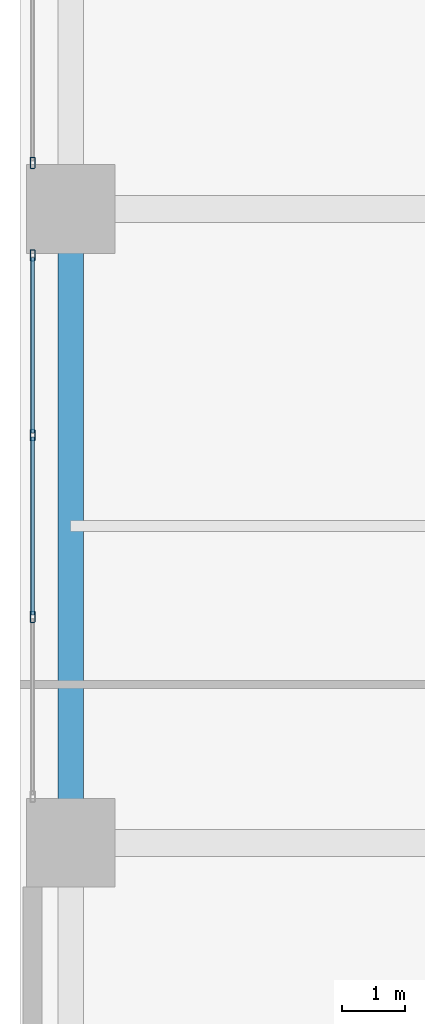
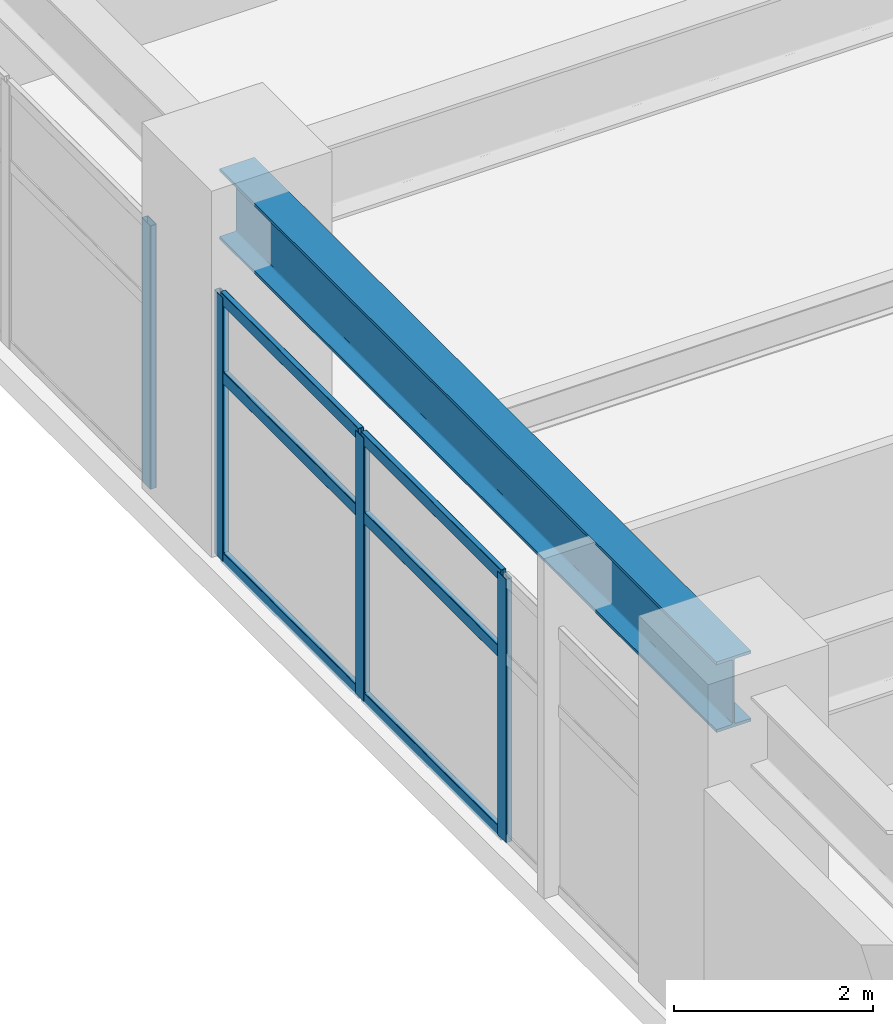
# One storey, part 7 of 28: 10 members, 1 beam, 2 elements without a shape of their own.
"""IFC4 building model written with IfcOpenShell, lengths in metres."""

from ifc_helpers import new_model, si_unit, direction, frame, origin, origin_2d, place, context, subcontext, project, spatial, hollow_rectangle, i_section, extrude, material, layer, layer_set, material_profile, profile_set, type_object, element, aggregate, save


model = new_model("IFC4")

# Units and contexts
model_context = context("Model", 3, precision=1e-05, world=origin(), true_north=direction((0.0, 1.0)))
body_context = subcontext(model_context, "Body", "Model", "MODEL_VIEW")
ifc_project = project(units=[si_unit("LENGTHUNIT", "METRE"), si_unit("AREAUNIT", "SQUARE_METRE"), si_unit("VOLUMEUNIT", "CUBIC_METRE"), si_unit("PLANEANGLEUNIT", "RADIAN"), si_unit("MASSUNIT", "GRAM", prefix="KILO")], contexts=[model_context])

# Site, building, storey
site_placement = place(None, origin())
site = spatial("IfcSite", under=ifc_project, at=site_placement, CompositionType="ELEMENT")
building_placement = place(site_placement, origin())
building = spatial("IfcBuilding", under=site, at=building_placement, Name="Soratama Intermodal Tower", CompositionType="ELEMENT")
storey_placement = place(building_placement, frame((0.0, 0.0, 16.199951171875)))
storey = spatial("IfcBuildingStorey", under=building, at=storey_placement, Name="L03", CompositionType="ELEMENT", Elevation=16.199951171875)

# Beam
ifc_material_1 = material(Name="Structural steel ASTM A992 Grade 50", Category="steel")
ifc_material_profile_1 = material_profile(ifc_material_1, i_section(OverallWidth=0.403076171875, OverallDepth=0.867919921875, WebThickness=0.02099609375, FlangeThickness=0.03564453125, FilletRadius=0.01806640625, at=origin_2d()), Name="W33X241")
ifc_profile_set_1 = profile_set([ifc_material_profile_1], Name="Structural steel ASTM A992 Grade 50")
beam_type = type_object("IfcBeamType", Name="BM-POD-EXT-W33", PredefinedType="BEAM", material=ifc_profile_set_1)
beam_placement = place(storey_placement, frame((0.800048828125, 15.0, 3.74609375), z_axis=(0.0, 1.0, 0.0), x_axis=(-1.0, 0.0, 0.0)))
element("IfcBeam", 1, at=beam_placement, inside=storey, type_object=beam_type, Name="L03 Station Girder Y1-2", PredefinedType="BEAM", context=body_context, shape_type="SweptSolid", body=[
    extrude(i_section(OverallWidth=0.403076171875, OverallDepth=0.867919921875, WebThickness=0.02099609375, FlangeThickness=0.03564453125, FilletRadius=0.01806640625, at=origin_2d()), origin(), (0.0, 0.0, 1.0), 10.0),
])

# Curtain wall, members
ifc_material_2 = material(Name="Double-glazed aluminium curtain wall", Category="aluminium")
ifc_layer = layer(ifc_material_2, 0.159912109375)
ifc_layer_set = layer_set([ifc_layer], Name="Double-glazed aluminium curtain wall")
curtain_wall_type = type_object("IfcCurtainWallType", Name="CW-SYS-1", PredefinedType="NOTDEFINED", material=ifc_layer_set)
curtain_wall_1_placement = place(storey_placement, origin())
curtain_wall_1 = element("IfcCurtainWall", 2, at=curtain_wall_1_placement, inside=storey, type_object=curtain_wall_type, Name="L03 Station Curtain Wall W1", PredefinedType="NOTDEFINED")
ifc_material_3 = material(Name="Anodised aluminium AA 6063-T6", Category="aluminium")
ifc_material_profile_2 = material_profile(ifc_material_3, hollow_rectangle(XDim=0.074951171875, YDim=0.179931640625, WallThickness=0.006103515625, InnerFilletRadius=0.006103515625, OuterFilletRadius=0.011962890625, at=origin_2d()), Name="CWM180X75X6")
ifc_profile_set_2 = profile_set([ifc_material_profile_2], Name="Anodised aluminium AA 6063-T6")
member_type_1 = type_object("IfcMemberType", Name="MT-CWM-1", PredefinedType="MULLION", material=ifc_profile_set_2)
member_1_placement = place(storey_placement, frame((0.199951171875, 18.566650390625, 0.0), z_axis=(0.0, 0.0, 1.0), x_axis=(-1.0, 0.0, 0.0)))
member_1 = element("IfcMember", 3, at=member_1_placement, type_object=member_type_1, Name="CW-1 mullion 2", PredefinedType="MULLION", context=body_context, shape_type="SweptSolid", body=[
    extrude(hollow_rectangle(XDim=0.074951171875, YDim=0.179931640625, WallThickness=0.006103515625, InnerFilletRadius=0.006103515625, OuterFilletRadius=0.011962890625, at=origin_2d()), origin(), (0.0, 0.0, 1.0), 3.236083984375),
])
member_2_placement = place(storey_placement, frame((0.199951171875, 21.433349609375, 0.0), z_axis=(0.0, 0.0, 1.0), x_axis=(-1.0, 0.0, 0.0)))
member_2 = element("IfcMember", 4, at=member_2_placement, type_object=member_type_1, Name="CW-1 mullion 3", PredefinedType="MULLION", context=body_context, shape_type="SweptSolid", body=[
    extrude(hollow_rectangle(XDim=0.074951171875, YDim=0.179931640625, WallThickness=0.006103515625, InnerFilletRadius=0.006103515625, OuterFilletRadius=0.011962890625, at=origin_2d()), origin(), (0.0, 0.0, 1.0), 3.236083984375),
])
member_3_placement = place(storey_placement, frame((0.199951171875, 24.27001953125, 0.0), z_axis=(0.0, 0.0, 1.0), x_axis=(-1.0, 0.0, 0.0)))
member_3 = element("IfcMember", 5, at=member_3_placement, type_object=member_type_1, Name="CW-1 mullion 4", PredefinedType="MULLION", context=body_context, shape_type="SweptSolid", body=[
    extrude(hollow_rectangle(XDim=0.074951171875, YDim=0.179931640625, WallThickness=0.006103515625, InnerFilletRadius=0.006103515625, OuterFilletRadius=0.011962890625, at=origin_2d()), origin(), (0.0, 0.0, 1.0), 3.236083984375),
])

# Curtain wall, member
curtain_wall_2_placement = place(storey_placement, origin())
curtain_wall_2 = element("IfcCurtainWall", 6, at=curtain_wall_2_placement, inside=storey, type_object=curtain_wall_type, Name="L03 Station Curtain Wall W2", PredefinedType="NOTDEFINED")
member_4_placement = place(storey_placement, frame((0.199951171875, 25.72998046875, 0.0), z_axis=(0.0, 0.0, 1.0), x_axis=(-1.0, 0.0, 0.0)))
member_4 = element("IfcMember", 7, at=member_4_placement, type_object=member_type_1, Name="CW-1 mullion 1", PredefinedType="MULLION", context=body_context, shape_type="SweptSolid", body=[
    extrude(hollow_rectangle(XDim=0.074951171875, YDim=0.179931640625, WallThickness=0.006103515625, InnerFilletRadius=0.006103515625, OuterFilletRadius=0.011962890625, at=origin_2d()), origin(), (0.0, 0.0, 1.0), 3.236083984375),
])
aggregate(curtain_wall_2, [member_4])

# Member
ifc_material_4 = material(Name="Anodised aluminium AA 6063-T6", Category="aluminium")
ifc_material_profile_3 = material_profile(ifc_material_4, hollow_rectangle(XDim=0.06494140625, YDim=0.14990234375, WallThickness=0.0048828125, InnerFilletRadius=0.0048828125, OuterFilletRadius=0.010009765625, at=origin_2d()), Name="CWT150X65X5")
ifc_profile_set_3 = profile_set([ifc_material_profile_3], Name="Anodised aluminium AA 6063-T6")
member_type_2 = type_object("IfcMemberType", Name="TT-CWT-1", PredefinedType="USERDEFINED", material=ifc_profile_set_3)
member_5_placement = place(storey_placement, frame((0.199951171875, 18.5966796875, 0.030029296875), z_axis=(0.0, 1.0, 0.0), x_axis=(-1.0, 0.0, 0.0)))
member_5 = element("IfcMember", 8, at=member_5_placement, type_object=member_type_2, Name="CW-1 transom 2.1", ObjectType="TRANSOM", PredefinedType="USERDEFINED", context=body_context, shape_type="SweptSolid", body=[
    extrude(hollow_rectangle(XDim=0.06494140625, YDim=0.14990234375, WallThickness=0.0048828125, InnerFilletRadius=0.0048828125, OuterFilletRadius=0.010009765625, at=origin_2d()), origin(), (0.0, 0.0, 1.0), 2.806640625),
])

member_6_placement = place(storey_placement, frame((0.199951171875, 18.5966796875, 2.25), z_axis=(0.0, 1.0, 0.0), x_axis=(-1.0, 0.0, 0.0)))
member_6 = element("IfcMember", 9, at=member_6_placement, type_object=member_type_2, Name="CW-1 transom 2.2", ObjectType="TRANSOM", PredefinedType="USERDEFINED", context=body_context, shape_type="SweptSolid", body=[
    extrude(hollow_rectangle(XDim=0.06494140625, YDim=0.14990234375, WallThickness=0.0048828125, InnerFilletRadius=0.0048828125, OuterFilletRadius=0.010009765625, at=origin_2d()), origin(), (0.0, 0.0, 1.0), 2.806640625),
])

member_7_placement = place(storey_placement, frame((0.199951171875, 18.5966796875, 3.2060546875), z_axis=(0.0, 1.0, 0.0), x_axis=(-1.0, 0.0, 0.0)))
member_7 = element("IfcMember", 10, at=member_7_placement, type_object=member_type_2, Name="CW-1 transom 2.3", ObjectType="TRANSOM", PredefinedType="USERDEFINED", context=body_context, shape_type="SweptSolid", body=[
    extrude(hollow_rectangle(XDim=0.06494140625, YDim=0.14990234375, WallThickness=0.0048828125, InnerFilletRadius=0.0048828125, OuterFilletRadius=0.010009765625, at=origin_2d()), origin(), (0.0, 0.0, 1.0), 2.806640625),
])

member_8_placement = place(storey_placement, frame((0.199951171875, 21.46337890625, 0.030029296875), z_axis=(0.0, 1.0, 0.0), x_axis=(-1.0, 0.0, 0.0)))
member_8 = element("IfcMember", 11, at=member_8_placement, type_object=member_type_2, Name="CW-1 transom 3.1", ObjectType="TRANSOM", PredefinedType="USERDEFINED", context=body_context, shape_type="SweptSolid", body=[
    extrude(hollow_rectangle(XDim=0.06494140625, YDim=0.14990234375, WallThickness=0.0048828125, InnerFilletRadius=0.0048828125, OuterFilletRadius=0.010009765625, at=origin_2d()), origin(), (0.0, 0.0, 1.0), 2.776611328125),
])

member_9_placement = place(storey_placement, frame((0.199951171875, 21.46337890625, 2.25), z_axis=(0.0, 1.0, 0.0), x_axis=(-1.0, 0.0, 0.0)))
member_9 = element("IfcMember", 12, at=member_9_placement, type_object=member_type_2, Name="CW-1 transom 3.2", ObjectType="TRANSOM", PredefinedType="USERDEFINED", context=body_context, shape_type="SweptSolid", body=[
    extrude(hollow_rectangle(XDim=0.06494140625, YDim=0.14990234375, WallThickness=0.0048828125, InnerFilletRadius=0.0048828125, OuterFilletRadius=0.010009765625, at=origin_2d()), origin(), (0.0, 0.0, 1.0), 2.776611328125),
])

member_10_placement = place(storey_placement, frame((0.199951171875, 21.46337890625, 3.2060546875), z_axis=(0.0, 1.0, 0.0), x_axis=(-1.0, 0.0, 0.0)))
member_10 = element("IfcMember", 13, at=member_10_placement, type_object=member_type_2, Name="CW-1 transom 3.3", ObjectType="TRANSOM", PredefinedType="USERDEFINED", context=body_context, shape_type="SweptSolid", body=[
    extrude(hollow_rectangle(XDim=0.06494140625, YDim=0.14990234375, WallThickness=0.0048828125, InnerFilletRadius=0.0048828125, OuterFilletRadius=0.010009765625, at=origin_2d()), origin(), (0.0, 0.0, 1.0), 2.776611328125),
])

aggregate(curtain_wall_1, [member_1, member_2, member_3, member_5, member_6, member_7, member_8, member_9, member_10])

save(model, "model.ifc")
